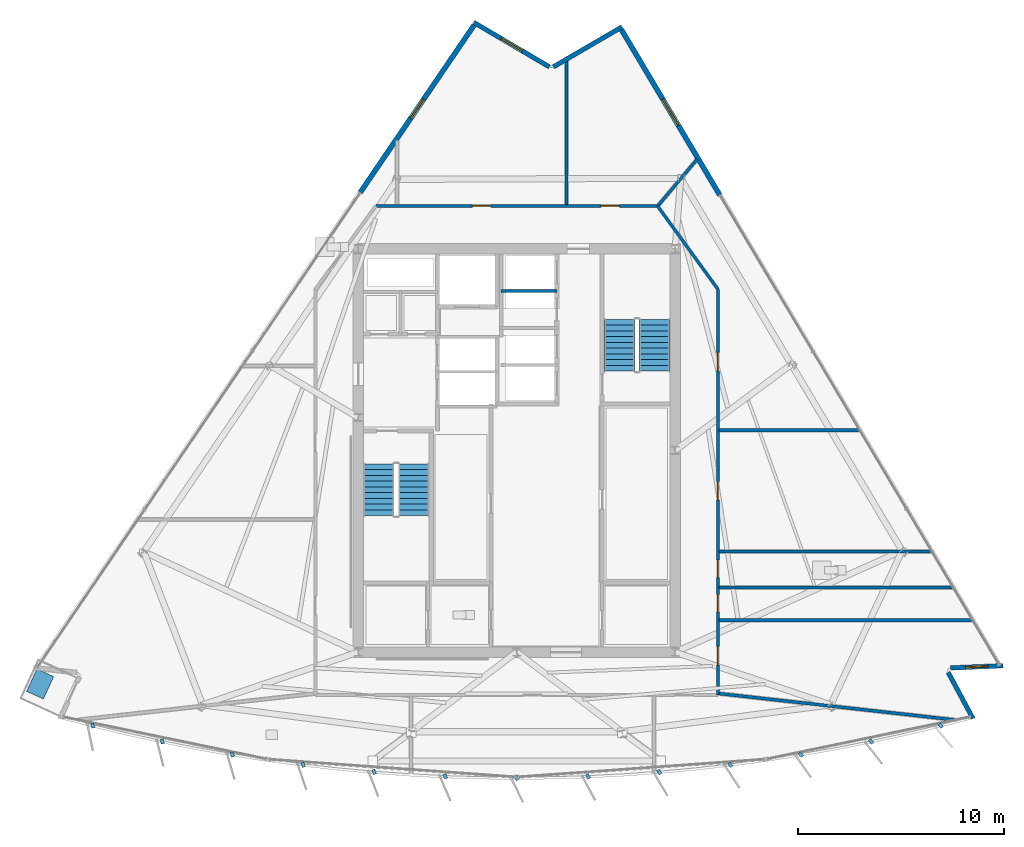
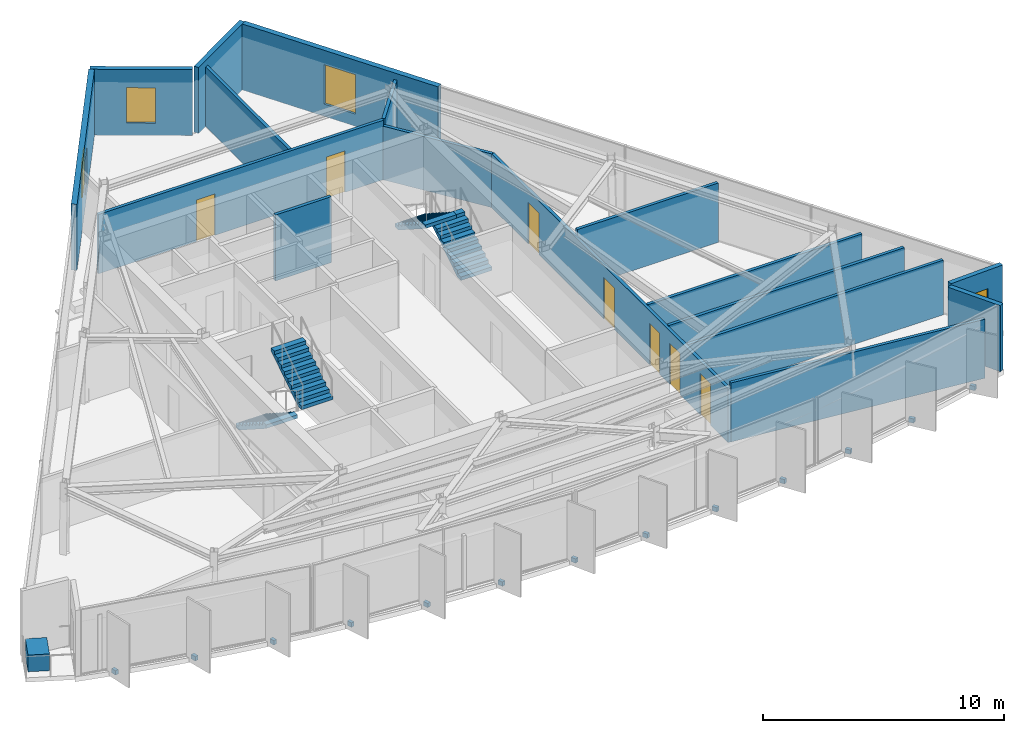
# One storey, part 8 of 12: 17 walls, 14 discrete accessories, 7 doors, 4 stair flights, 4 windows, 11 openings, 2 elements without a shape of their own.
"""IFC4 building model written with IfcOpenShell, lengths in metres."""

from ifc_helpers import new_model, si_unit, direction, frame, frame_2d, origin, origin_2d, place, context, subcontext, project, spatial, polyline, rectangle, outline, extrude, material, layer, layer_set, type_object, element, fill, aggregate, save


model = new_model("IFC4")

# Units and contexts
model_context = context("Model", 3, precision=1e-05, world=origin(), true_north=direction((0.0, 1.0)))
body_context = subcontext(model_context, "Body", "Model", "MODEL_VIEW")
ifc_project = project(units=[si_unit("LENGTHUNIT", "METRE"), si_unit("AREAUNIT", "SQUARE_METRE"), si_unit("VOLUMEUNIT", "CUBIC_METRE"), si_unit("PLANEANGLEUNIT", "RADIAN"), si_unit("MASSUNIT", "GRAM", prefix="KILO")], contexts=[model_context])

# Site, building, storey
site_placement = place(None, origin())
site = spatial("IfcSite", under=ifc_project, at=site_placement, CompositionType="ELEMENT")
building_placement = place(site_placement, origin())
building = spatial("IfcBuilding", under=site, at=building_placement, Name="Savorim Split Tower", CompositionType="ELEMENT")
storey_placement = place(building_placement, frame((0.0, 0.0, 279.60009765625)))
storey = spatial("IfcBuildingStorey", under=building, at=storey_placement, Name="L74", CompositionType="ELEMENT", Elevation=279.60009765625)

# Wall
ifc_material_1 = material(Name="Precast concrete C40/50", Category="concrete")
ifc_layer_1 = layer(ifc_material_1, 0.219970703125)
ifc_layer_set_1 = layer_set([ifc_layer_1], Name="WAL-EXT-CRN220")
wall_type_1 = type_object("IfcWallType", Name="WAL-EXT-CRN220", PredefinedType="SOLIDWALL", material=ifc_layer_set_1)
wall_1_placement = place(storey_placement, frame((20.9638671875, -10.380615234375, 0.0), z_axis=(0.0, 0.0, 1.0), x_axis=(0.472728849632, -0.881207940685, 0.0)))
element("IfcWall", 1, at=wall_1_placement, inside=storey, type_object=wall_type_1, Name="L74 Notched Corner Facade Wall SE1", PredefinedType="SOLIDWALL", context=body_context, shape_type="SweptSolid", body=[
    extrude(rectangle(XDim=2.5498046875, YDim=0.219970703125, at=frame_2d((1.27490234375, 0.0))), origin(), (0.0, 0.0, 1.0), 3.349853515625),
])

# Wall, opening, window
wall_2_placement = place(storey_placement, frame((23.630615234375, -10.058837890625, 0.0), z_axis=(0.0, 0.0, 1.0), x_axis=(-0.999098350703, -0.042455690107, 0.0)))
wall_2 = element("IfcWall", 2, at=wall_2_placement, inside=storey, type_object=wall_type_1, Name="L74 Notched Corner Facade Wall SE", PredefinedType="SOLIDWALL", context=body_context, shape_type="SweptSolid", body=[
    extrude(rectangle(XDim=2.54736328125, YDim=0.219970703125, at=frame_2d((1.273681640625, 0.0))), origin(), (0.0, 0.0, 1.0), 3.349853515625),
])
opening_1_placement = place(wall_2_placement, frame((0.7236328125, 0.0, 0.6201171875)))
opening_1 = element("IfcOpeningElement", 3, at=opening_1_placement, cuts=wall_2, Name="Opening WN-09", PredefinedType="OPENING", context=body_context, shape_type="SweptSolid", body=[
    extrude(rectangle(XDim=1.10009765625, YDim=1.800048828125, at=frame_2d((0.550048828125, 0.89990234375))), frame((0.0, 0.119873046875, 0.0), z_axis=(0.0, -1.0, 0.0), x_axis=(1.0, 0.0, 0.0)), (0.0, 0.0, 1.0), 0.239990234375),
])
ifc_material_2 = material(Name="Low-E Operable Double Glazing", Category="glass")
window_type_1 = type_object("IfcWindowType", Name="WIN-TWR-1100x1800", PartitioningType="SINGLE_PANEL", PredefinedType="WINDOW", material=ifc_material_2)
window_1_placement = place(opening_1_placement, origin())
window_1 = element("IfcWindow", 4, at=window_1_placement, inside=storey, type_object=window_type_1, Name="L74 Operable Corner Window SE", OverallHeight=1.800048828125, OverallWidth=1.10009765625, PartitioningType="SINGLE_PANEL", PredefinedType="WINDOW", context=body_context, shape_type="SweptSolid", body=[
    extrude(rectangle(XDim=1.10009765625, YDim=1.800048828125, at=frame_2d((0.550048828125, 0.89990234375))), frame((0.0, 0.030029296875, 0.0), z_axis=(0.0, -1.0, 0.0), x_axis=(1.0, 0.0, 0.0)), (0.0, 0.0, 1.0), 0.06005859375),
])
fill(opening_1, window_1)

# Wall
wall_3_placement = place(storey_placement, frame((1.78271484375, 19.031005859375, 0.0), z_axis=(0.0, 0.0, 1.0), x_axis=(0.863972097652, 0.503539685108, 0.0)))
element("IfcWall", 5, at=wall_3_placement, inside=storey, type_object=wall_type_1, Name="L74 Notched Corner Facade Wall NE1", PredefinedType="SOLIDWALL", context=body_context, shape_type="SweptSolid", body=[
    extrude(rectangle(XDim=3.8486328125, YDim=0.219970703125, at=frame_2d((1.92431640625, 0.0))), origin(), (0.0, 0.0, 1.0), 3.349853515625),
])

# Wall, opening, window
wall_4_placement = place(storey_placement, frame((-2.073974609375, 21.186279296875, 0.0), z_axis=(0.0, 0.0, 1.0), x_axis=(0.862137800155, -0.506673872964, 0.0)))
wall_4 = element("IfcWall", 6, at=wall_4_placement, inside=storey, type_object=wall_type_1, Name="L74 Notched Corner Facade Wall N", PredefinedType="SOLIDWALL", context=body_context, shape_type="SweptSolid", body=[
    extrude(rectangle(XDim=4.252685546875, YDim=0.219970703125, at=frame_2d((2.12646484375, 0.0))), origin(), (0.0, 0.0, 1.0), 3.349853515625),
])
opening_2_placement = place(wall_4_placement, frame((1.5263671875, 0.0, 0.6201171875)))
opening_2 = element("IfcOpeningElement", 7, at=opening_2_placement, cuts=wall_4, Name="Opening WN-08", PredefinedType="OPENING", context=body_context, shape_type="SweptSolid", body=[
    extrude(rectangle(XDim=1.199951171875, YDim=1.800048828125, at=frame_2d((0.60009765625, 0.89990234375))), frame((0.0, 0.119873046875, 0.0), z_axis=(0.0, -1.0, 0.0), x_axis=(1.0, 0.0, 0.0)), (0.0, 0.0, 1.0), 0.239990234375),
])
window_type_2 = type_object("IfcWindowType", Name="WIN-TWR-1200x1800", PartitioningType="SINGLE_PANEL", PredefinedType="WINDOW", material=ifc_material_2)
window_2_placement = place(opening_2_placement, origin())
window_2 = element("IfcWindow", 8, at=window_2_placement, inside=storey, type_object=window_type_2, Name="L74 Operable Corner Window N", OverallHeight=1.800048828125, OverallWidth=1.199951171875, PartitioningType="SINGLE_PANEL", PredefinedType="WINDOW", context=body_context, shape_type="SweptSolid", body=[
    extrude(rectangle(XDim=1.199951171875, YDim=1.800048828125, at=frame_2d((0.60009765625, 0.89990234375))), frame((0.0, 0.030029296875, 0.0), z_axis=(0.0, -1.0, 0.0), x_axis=(1.0, 0.0, 0.0)), (0.0, 0.0, 1.0), 0.06005859375),
])
fill(opening_2, window_2)

ifc_layer_2 = layer(ifc_material_1, 0.25)
ifc_layer_set_2 = layer_set([ifc_layer_2], Name="WAL-EXT-SPN250")
wall_type_2 = type_object("IfcWallType", Name="WAL-EXT-SPN250", PredefinedType="SOLIDWALL", material=ifc_layer_set_2)
wall_5_placement = place(storey_placement, frame((5.09130859375, 20.84228515625, 0.0), z_axis=(0.0, 0.0, 1.0), x_axis=(0.511095217069, -0.859524100354, 0.0)))
wall_5 = element("IfcWall", 9, at=wall_5_placement, inside=storey, type_object=wall_type_2, Name="L74 East Operable Window Pier", PredefinedType="SOLIDWALL", context=body_context, shape_type="SweptSolid", body=[
    extrude(rectangle(XDim=9.344482421875, YDim=0.25, at=frame_2d((4.67236328125, 0.0))), origin(), (0.0, 0.0, 1.0), 3.349853515625),
])
opening_3_placement = place(wall_5_placement, frame((3.922119140625, 0.0, 0.6201171875)))
opening_3 = element("IfcOpeningElement", 10, at=opening_3_placement, cuts=wall_5, Name="Opening WN-06", PredefinedType="OPENING", context=body_context, shape_type="SweptSolid", body=[
    extrude(rectangle(XDim=1.5, YDim=2.0, at=frame_2d((0.75, 1.0))), frame((0.0, 0.135009765625, 0.0), z_axis=(0.0, -1.0, 0.0), x_axis=(1.0, 0.0, 0.0)), (0.0, 0.0, 1.0), 0.27001953125),
])
window_type_3 = type_object("IfcWindowType", Name="WIN-TWR-1500x2000", PartitioningType="SINGLE_PANEL", PredefinedType="WINDOW", material=ifc_material_2)
window_3_placement = place(opening_3_placement, origin())
window_3 = element("IfcWindow", 11, at=window_3_placement, inside=storey, type_object=window_type_3, Name="L74 East Operable Ventilation Window", OverallHeight=2.0, OverallWidth=1.5, PartitioningType="SINGLE_PANEL", PredefinedType="WINDOW", context=body_context, shape_type="SweptSolid", body=[
    extrude(rectangle(XDim=1.5, YDim=2.0, at=frame_2d((0.75, 1.0))), frame((0.0, 0.030029296875, 0.0), z_axis=(0.0, -1.0, 0.0), x_axis=(1.0, 0.0, 0.0)), (0.0, 0.0, 1.0), 0.06005859375),
])
fill(opening_3, window_3)

wall_6_placement = place(storey_placement, frame((-7.59326171875, 12.944580078125, 0.0), z_axis=(0.0, 0.0, 1.0), x_axis=(0.562476003565, 0.826813609838, 0.0)))
wall_6 = element("IfcWall", 12, at=wall_6_placement, inside=storey, type_object=wall_type_2, Name="L74 West Operable Window Pier", PredefinedType="SOLIDWALL", context=body_context, shape_type="SweptSolid", body=[
    extrude(rectangle(XDim=9.81591796875, YDim=0.25, at=frame_2d((4.907958984375, 0.0))), origin(), (0.0, 0.0, 1.0), 3.349853515625),
])
opening_4_placement = place(wall_6_placement, frame((4.35791015625, 0.0, 0.6201171875)))
opening_4 = element("IfcOpeningElement", 13, at=opening_4_placement, cuts=wall_6, Name="Opening WN-09", PredefinedType="OPENING", context=body_context, shape_type="SweptSolid", body=[
    extrude(rectangle(XDim=1.10009765625, YDim=1.800048828125, at=frame_2d((0.550048828125, 0.89990234375))), frame((0.0, 0.135009765625, 0.0), z_axis=(0.0, -1.0, 0.0), x_axis=(1.0, 0.0, 0.0)), (0.0, 0.0, 1.0), 0.27001953125),
])
window_4_placement = place(opening_4_placement, origin())
window_4 = element("IfcWindow", 14, at=window_4_placement, inside=storey, type_object=window_type_1, Name="L74 West Operable Ventilation Window", OverallHeight=1.800048828125, OverallWidth=1.10009765625, PartitioningType="SINGLE_PANEL", PredefinedType="WINDOW", context=body_context, shape_type="SweptSolid", body=[
    extrude(rectangle(XDim=1.10009765625, YDim=1.800048828125, at=frame_2d((0.550048828125, 0.89990234375))), frame((0.0, 0.030029296875, 0.0), z_axis=(0.0, -1.0, 0.0), x_axis=(1.0, 0.0, 0.0)), (0.0, 0.0, 1.0), 0.06005859375),
])
fill(opening_4, window_4)

# Wall
ifc_material_3 = material(Name="Acoustic Gypsum Partition Board")
ifc_layer_3 = layer(ifc_material_3, 0.14990234375)
ifc_layer_set_3 = layer_set([ifc_layer_3], Name="WAL-PAR-150")
wall_type_3 = type_object("IfcWallType", Name="WAL-PAR-150", PredefinedType="PARTITIONING", material=ifc_layer_set_3)
wall_7_placement = place(storey_placement, frame((-0.75, 8.14990234375, 0.0), z_axis=(0.0, 0.0, 1.0), x_axis=(1.0, 0.0, 0.0)))
element("IfcWall", 15, at=wall_7_placement, inside=storey, type_object=wall_type_3, Name="L74 Partition W-L74-B3DIV3", PredefinedType="PARTITIONING", context=body_context, shape_type="SweptSolid", body=[
    extrude(rectangle(XDim=2.699951171875, YDim=0.14990234375, at=frame_2d((1.35009765625, 0.0))), origin(), (0.0, 0.0, 1.0), 3.349853515625),
])

# Wall, openings, doors
wall_8_placement = place(storey_placement, frame((-6.8408203125, 12.280029296875, 0.0), z_axis=(0.0, 0.0, 1.0), x_axis=(1.0, 0.0, 0.0)))
wall_8 = element("IfcWall", 16, at=wall_8_placement, inside=storey, type_object=wall_type_3, Name="L74 Partition W-L74-COR-03", PredefinedType="PARTITIONING", context=body_context, shape_type="SweptSolid", body=[
    extrude(rectangle(XDim=13.681640625, YDim=0.14990234375, at=frame_2d((6.8408203125, 0.0))), origin(), (0.0, 0.0, 1.0), 3.014892578125),
])
opening_5_placement = place(wall_8_placement, frame((10.9345703125, 0.0, 0.0)))
opening_5 = element("IfcOpeningElement", 17, at=opening_5_placement, cuts=wall_8, Name="Opening DI-06", PredefinedType="OPENING", context=body_context, shape_type="SweptSolid", body=[
    extrude(rectangle(XDim=0.89990234375, YDim=2.10009765625, at=frame_2d((0.449951171875, 1.050048828125))), frame((0.0, 0.0849609375, 0.0), z_axis=(0.0, -1.0, 0.0), x_axis=(1.0, 0.0, 0.0)), (0.0, 0.0, 1.0), 0.169921875),
])
opening_6_placement = place(wall_8_placement, frame((4.69287109375, 0.0, 0.0)))
opening_6 = element("IfcOpeningElement", 18, at=opening_6_placement, cuts=wall_8, Name="Opening DI-06", PredefinedType="OPENING", context=body_context, shape_type="SweptSolid", body=[
    extrude(rectangle(XDim=0.89990234375, YDim=2.10009765625, at=frame_2d((0.449951171875, 1.050048828125))), frame((0.0, 0.0849609375, 0.0), z_axis=(0.0, -1.0, 0.0), x_axis=(1.0, 0.0, 0.0)), (0.0, 0.0, 1.0), 0.169921875),
])
ifc_material_4 = material(Name="Timber Fire Door Leaf", Category="wood")
door_type_1 = type_object("IfcDoorType", Name="DOR-FIR-900", OperationType="NOTDEFINED", PredefinedType="DOOR", material=ifc_material_4)
door_1_placement = place(opening_5_placement, origin())
door_1 = element("IfcDoor", 19, at=door_1_placement, inside=storey, type_object=door_type_1, Name="DR-L74-RM11 - L74 Quiet Study Room Entry Door", OperationType="SINGLE_SWING_RIGHT", OverallHeight=2.10009765625, OverallWidth=0.89990234375, PredefinedType="DOOR", context=body_context, shape_type="SweptSolid", body=[
    extrude(rectangle(XDim=0.89990234375, YDim=2.10009765625, at=frame_2d((0.449951171875, 1.050048828125))), frame((0.0, 0.02490234375, 0.0), z_axis=(0.0, -1.0, 0.0), x_axis=(1.0, 0.0, 0.0)), (0.0, 0.0, 1.0), 0.050048828125),
])
fill(opening_5, door_1)
door_2_placement = place(opening_6_placement, origin())
door_2 = element("IfcDoor", 20, at=door_2_placement, inside=storey, type_object=door_type_1, Name="DR-L74-RM12 - L74 Quiet Study Room Entry Door", OperationType="SINGLE_SWING_LEFT", OverallHeight=2.10009765625, OverallWidth=0.89990234375, PredefinedType="DOOR", context=body_context, shape_type="SweptSolid", body=[
    extrude(rectangle(XDim=0.89990234375, YDim=2.10009765625, at=frame_2d((0.449951171875, 1.050048828125))), frame((0.0, 0.02490234375, 0.0), z_axis=(0.0, -1.0, 0.0), x_axis=(1.0, 0.0, 0.0)), (0.0, 0.0, 1.0), 0.050048828125),
])
fill(opening_6, door_2)

# Wall
wall_9_placement = place(storey_placement, frame((6.8408203125, 12.280029296875, 0.0), z_axis=(0.0, 0.0, 1.0), x_axis=(0.586956386413, -0.809618552436, 0.0)))
element("IfcWall", 21, at=wall_9_placement, inside=storey, type_object=wall_type_3, Name="L74 Partition W-L74-COR-04", PredefinedType="PARTITIONING", context=body_context, shape_type="SweptSolid", body=[
    extrude(rectangle(XDim=5.007568359375, YDim=0.14990234375, at=frame_2d((2.50390625, 0.0))), origin(), (0.0, 0.0, 1.0), 2.724853515625),
])

# Wall, openings, doors
wall_10_placement = place(storey_placement, frame((9.780029296875, 8.225830078125, 0.0), z_axis=(0.0, 0.0, 1.0), x_axis=(0.0, -1.0, 0.0)))
wall_10 = element("IfcWall", 22, at=wall_10_placement, inside=storey, type_object=wall_type_3, Name="L74 Partition W-L74-COR-05", PredefinedType="PARTITIONING", context=body_context, shape_type="SweptSolid", body=[
    extrude(rectangle(XDim=19.705810546875, YDim=0.14990234375, at=frame_2d((9.85302734375, 0.0))), origin(), (0.0, 0.0, 1.0), 2.724853515625),
])
opening_7_placement = place(wall_10_placement, frame((17.351806640625, 0.0, 0.0)))
opening_7 = element("IfcOpeningElement", 23, at=opening_7_placement, cuts=wall_10, Name="Opening DI-06", PredefinedType="OPENING", context=body_context, shape_type="SweptSolid", body=[
    extrude(rectangle(XDim=0.89990234375, YDim=2.10009765625, at=frame_2d((0.449951171875, 1.050048828125))), frame((0.0, 0.0849609375, 0.0), z_axis=(0.0, -1.0, 0.0), x_axis=(1.0, 0.0, 0.0)), (0.0, 0.0, 1.0), 0.169921875),
])
opening_8_placement = place(wall_10_placement, frame((14.827880859375, 0.0, 0.0)))
opening_8 = element("IfcOpeningElement", 24, at=opening_8_placement, cuts=wall_10, Name="Opening DI-13", PredefinedType="OPENING", context=body_context, shape_type="SweptSolid", body=[
    extrude(rectangle(XDim=0.85009765625, YDim=2.10009765625, at=frame_2d((0.425048828125, 1.050048828125))), frame((0.0, 0.0849609375, 0.0), z_axis=(0.0, -1.0, 0.0), x_axis=(1.0, 0.0, 0.0)), (0.0, 0.0, 1.0), 0.169921875),
])
opening_9_placement = place(wall_10_placement, frame((13.15869140625, 0.0, 0.0)))
opening_9 = element("IfcOpeningElement", 25, at=opening_9_placement, cuts=wall_10, Name="Opening DI-13", PredefinedType="OPENING", context=body_context, shape_type="SweptSolid", body=[
    extrude(rectangle(XDim=0.85009765625, YDim=2.10009765625, at=frame_2d((0.425048828125, 1.050048828125))), frame((0.0, 0.0849609375, 0.0), z_axis=(0.0, -1.0, 0.0), x_axis=(1.0, 0.0, 0.0)), (0.0, 0.0, 1.0), 0.169921875),
])
opening_10_placement = place(wall_10_placement, frame((9.343017578125, 0.0, 0.0)))
opening_10 = element("IfcOpeningElement", 26, at=opening_10_placement, cuts=wall_10, Name="Opening DI-06", PredefinedType="OPENING", context=body_context, shape_type="SweptSolid", body=[
    extrude(rectangle(XDim=0.89990234375, YDim=2.10009765625, at=frame_2d((0.449951171875, 1.050048828125))), frame((0.0, 0.0849609375, 0.0), z_axis=(0.0, -1.0, 0.0), x_axis=(1.0, 0.0, 0.0)), (0.0, 0.0, 1.0), 0.169921875),
])
opening_11_placement = place(wall_10_placement, frame((3.063232421875, 0.0, 0.0)))
opening_11 = element("IfcOpeningElement", 27, at=opening_11_placement, cuts=wall_10, Name="Opening DI-06", PredefinedType="OPENING", context=body_context, shape_type="SweptSolid", body=[
    extrude(rectangle(XDim=0.89990234375, YDim=2.10009765625, at=frame_2d((0.449951171875, 1.050048828125))), frame((0.0, 0.0849609375, 0.0), z_axis=(0.0, -1.0, 0.0), x_axis=(1.0, 0.0, 0.0)), (0.0, 0.0, 1.0), 0.169921875),
])
door_type_2 = type_object("IfcDoorType", Name="DOR-FIR-850", OperationType="NOTDEFINED", PredefinedType="DOOR", material=ifc_material_4)
door_3_placement = place(opening_8_placement, origin())
door_3 = element("IfcDoor", 28, at=door_3_placement, inside=storey, type_object=door_type_2, Name="DR-L74-RM07 - L74 Co-Living Bedroom Entry Door", OperationType="SINGLE_SWING_RIGHT", OverallHeight=2.10009765625, OverallWidth=0.85009765625, PredefinedType="DOOR", context=body_context, shape_type="SweptSolid", body=[
    extrude(rectangle(XDim=0.85009765625, YDim=2.10009765625, at=frame_2d((0.425048828125, 1.050048828125))), frame((0.0, 0.02490234375, 0.0), z_axis=(0.0, -1.0, 0.0), x_axis=(1.0, 0.0, 0.0)), (0.0, 0.0, 1.0), 0.050048828125),
])
fill(opening_8, door_3)
door_4_placement = place(opening_9_placement, origin())
door_4 = element("IfcDoor", 29, at=door_4_placement, inside=storey, type_object=door_type_2, Name="DR-L74-RM08 - L74 Shared Bathroom Entry Door", OperationType="SINGLE_SWING_LEFT", OverallHeight=2.10009765625, OverallWidth=0.85009765625, PredefinedType="DOOR", context=body_context, shape_type="SweptSolid", body=[
    extrude(rectangle(XDim=0.85009765625, YDim=2.10009765625, at=frame_2d((0.425048828125, 1.050048828125))), frame((0.0, 0.02490234375, 0.0), z_axis=(0.0, -1.0, 0.0), x_axis=(1.0, 0.0, 0.0)), (0.0, 0.0, 1.0), 0.050048828125),
])
fill(opening_9, door_4)
door_5_placement = place(opening_7_placement, origin())
door_5 = element("IfcDoor", 30, at=door_5_placement, inside=storey, type_object=door_type_1, Name="DR-L74-RM06 - L74 Quiet Study Room Entry Door", OperationType="SINGLE_SWING_LEFT", OverallHeight=2.10009765625, OverallWidth=0.89990234375, PredefinedType="DOOR", context=body_context, shape_type="SweptSolid", body=[
    extrude(rectangle(XDim=0.89990234375, YDim=2.10009765625, at=frame_2d((0.449951171875, 1.050048828125))), frame((0.0, 0.02490234375, 0.0), z_axis=(0.0, -1.0, 0.0), x_axis=(1.0, 0.0, 0.0)), (0.0, 0.0, 1.0), 0.050048828125),
])
fill(opening_7, door_5)
door_6_placement = place(opening_10_placement, origin())
door_6 = element("IfcDoor", 31, at=door_6_placement, inside=storey, type_object=door_type_1, Name="DR-L74-RM09 - L74 Quiet Study Room Entry Door", OperationType="SINGLE_SWING_RIGHT", OverallHeight=2.10009765625, OverallWidth=0.89990234375, PredefinedType="DOOR", context=body_context, shape_type="SweptSolid", body=[
    extrude(rectangle(XDim=0.89990234375, YDim=2.10009765625, at=frame_2d((0.449951171875, 1.050048828125))), frame((0.0, 0.02490234375, 0.0), z_axis=(0.0, -1.0, 0.0), x_axis=(1.0, 0.0, 0.0)), (0.0, 0.0, 1.0), 0.050048828125),
])
fill(opening_10, door_6)
door_7_placement = place(opening_11_placement, origin())
door_7 = element("IfcDoor", 32, at=door_7_placement, inside=storey, type_object=door_type_1, Name="DR-L74-RM10 - L74 Quiet Study Room Entry Door", OperationType="SINGLE_SWING_LEFT", OverallHeight=2.10009765625, OverallWidth=0.89990234375, PredefinedType="DOOR", context=body_context, shape_type="SweptSolid", body=[
    extrude(rectangle(XDim=0.89990234375, YDim=2.10009765625, at=frame_2d((0.449951171875, 1.050048828125))), frame((0.0, 0.02490234375, 0.0), z_axis=(0.0, -1.0, 0.0), x_axis=(1.0, 0.0, 0.0)), (0.0, 0.0, 1.0), 0.050048828125),
])
fill(opening_11, door_7)

# Walls
wall_11_placement = place(storey_placement, frame((9.839111328125, -11.413818359375, 0.0), z_axis=(0.0, 0.0, 1.0), x_axis=(0.993832479403, -0.1108918522, 0.0)))
element("IfcWall", 33, at=wall_11_placement, inside=storey, type_object=wall_type_3, Name="L74 Partition W-L74-PRAD04", PredefinedType="PARTITIONING", context=body_context, shape_type="SweptSolid", body=[
    extrude(rectangle(XDim=11.525390625, YDim=0.14990234375, at=frame_2d((5.7626953125, 0.0))), origin(), (0.0, 0.0, 1.0), 2.994873046875),
])
wall_12_placement = place(storey_placement, frame((9.840087890625, -4.51171875, 0.0), z_axis=(0.0, 0.0, 1.0), x_axis=(1.0, 0.0, 0.0)))
element("IfcWall", 34, at=wall_12_placement, inside=storey, type_object=wall_type_3, Name="L74 Partition W-L74-PRAD05", PredefinedType="PARTITIONING", context=body_context, shape_type="SweptSolid", body=[
    extrude(rectangle(XDim=10.26904296875, YDim=0.14990234375, at=frame_2d((5.134521484375, 0.0))), origin(), (0.0, 0.0, 1.0), 2.77490234375),
])
wall_13_placement = place(storey_placement, frame((6.8857421875, 12.310302734375, 0.0), z_axis=(0.0, 0.0, 1.0), x_axis=(0.64386381785, 0.765140107473, 0.0)))
element("IfcWall", 35, at=wall_13_placement, inside=storey, type_object=wall_type_3, Name="L74 Partition W-L74-PRAD07", PredefinedType="PARTITIONING", context=body_context, shape_type="SweptSolid", body=[
    extrude(rectangle(XDim=2.93115234375, YDim=0.14990234375, at=frame_2d((1.465576171875, 0.0))), origin(), (0.0, 0.0, 1.0), 3.014892578125),
])
wall_14_placement = place(storey_placement, frame((9.840087890625, -7.85009765625, 0.0), z_axis=(0.0, 0.0, 1.0), x_axis=(1.0, 0.0, 0.0)))
element("IfcWall", 36, at=wall_14_placement, inside=storey, type_object=wall_type_3, Name="L74 Partition W-L74-SUB01", PredefinedType="PARTITIONING", context=body_context, shape_type="SweptSolid", body=[
    extrude(rectangle(XDim=12.25439453125, YDim=0.14990234375, at=frame_2d((6.127197265625, 0.0))), origin(), (0.0, 0.0, 1.0), 2.77490234375),
])
wall_15_placement = place(storey_placement, frame((2.425048828125, 12.340087890625, 0.0), z_axis=(0.0, 0.0, 1.0), x_axis=(0.0, 1.0, 0.0)))
element("IfcWall", 37, at=wall_15_placement, inside=storey, type_object=wall_type_3, Name="L74 Partition W-L74-SUB02", PredefinedType="PARTITIONING", context=body_context, shape_type="SweptSolid", body=[
    extrude(rectangle(XDim=7.00732421875, YDim=0.14990234375, at=frame_2d((3.503662109375, 0.0))), origin(), (0.0, 0.0, 1.0), 3.014892578125),
])
wall_16_placement = place(storey_placement, frame((9.840087890625, -6.25390625, 0.0), z_axis=(0.0, 0.0, 1.0), x_axis=(1.0, 0.0, 0.0)))
element("IfcWall", 38, at=wall_16_placement, inside=storey, type_object=wall_type_3, Name="L74 Partition W-L74-SUB05", PredefinedType="PARTITIONING", context=body_context, shape_type="SweptSolid", body=[
    extrude(rectangle(XDim=11.30517578125, YDim=0.14990234375, at=frame_2d((5.652587890625, 0.0))), origin(), (0.0, 0.0, 1.0), 2.77490234375),
])
wall_17_placement = place(storey_placement, frame((9.840087890625, 1.377685546875, 0.0), z_axis=(0.0, 0.0, 1.0), x_axis=(1.0, 0.0, 0.0)))
element("IfcWall", 39, at=wall_17_placement, inside=storey, type_object=wall_type_3, Name="L74 Partition W-L74-SUB06", PredefinedType="PARTITIONING", context=body_context, shape_type="SweptSolid", body=[
    extrude(rectangle(XDim=6.767333984375, YDim=0.14990234375, at=frame_2d((3.3837890625, 0.0))), origin(), (0.0, 0.0, 1.0), 3.014892578125),
])

# Stair, stair flights
ifc_material_5 = material(Name="Concrete C50/60", Category="concrete")
stair_type = type_object("IfcStairType", Name="STR-DOG-3600", PredefinedType="HALF_TURN_STAIR", material=ifc_material_5)
stair_1_placement = place(storey_placement, origin())
stair_1 = element("IfcStair", 40, at=stair_1_placement, inside=storey, type_object=stair_type, Name="L74 Core Protected Exit Stair ST-1", PredefinedType="HALF_TURN_STAIR")
stair_flight_type = type_object("IfcStairFlightType", Name="SFL-DOG-3600", PredefinedType="STRAIGHT", material=ifc_material_5)
stair_flight_1_placement = place(storey_placement, frame((-6.699951171875, -0.25, 0.0), z_axis=(0.0, 0.0, 1.0), x_axis=(0.0, -1.0, 0.0)))
stair_flight_1 = element("IfcStairFlight", 41, at=stair_flight_1_placement, type_object=stair_flight_type, Name="ST-1 flight 1", NumberOfRisers=10, NumberOfTreads=9, PredefinedType="STRAIGHT", RiserHeight=0.18, TreadLength=0.28, context=body_context, shape_type="SweptSolid", body=[
    extrude(outline(polyline([(0.0, 0.0), (0.0, 0.179931640625), (0.280029296875, 0.179931640625), (0.280029296875, 0.360107421875), (0.56005859375, 0.360107421875), (0.56005859375, 0.5400390625), (0.840087890625, 0.5400390625), (0.840087890625, 0.719970703125), (1.1201171875, 0.719970703125), (1.1201171875, 0.89990234375), (1.39990234375, 0.89990234375), (1.39990234375, 1.080078125), (1.679931640625, 1.080078125), (1.679931640625, 1.260009765625), (1.9599609375, 1.260009765625), (1.9599609375, 1.43994140625), (2.239990234375, 1.43994140625), (2.239990234375, 1.6201171875), (2.52001953125, 1.6201171875), (2.52001953125, 1.800048828125), (2.52001953125, 1.44189453125), (0.277099609375, 0.0), (0.0, 0.0)])), frame((0.0, 0.75, 0.0), z_axis=(0.0, -1.0, 0.0), x_axis=(1.0, 0.0, 0.0)), (0.0, 0.0, 1.0), 1.5),
])
stair_flight_2_placement = place(storey_placement, frame((-5.0, -2.77001953125, 1.7998046875), z_axis=(0.0, 0.0, 1.0), x_axis=(0.0, 1.0, 0.0)))
stair_flight_2 = element("IfcStairFlight", 42, at=stair_flight_2_placement, type_object=stair_flight_type, Name="ST-1 flight 2", NumberOfRisers=10, NumberOfTreads=9, PredefinedType="STRAIGHT", RiserHeight=0.18, TreadLength=0.28, context=body_context, shape_type="SweptSolid", body=[
    extrude(outline(polyline([(0.0, 0.0), (0.0, 0.179931640625), (0.280029296875, 0.179931640625), (0.280029296875, 0.360107421875), (0.56005859375, 0.360107421875), (0.56005859375, 0.5400390625), (0.840087890625, 0.5400390625), (0.840087890625, 0.719970703125), (1.1201171875, 0.719970703125), (1.1201171875, 0.89990234375), (1.39990234375, 0.89990234375), (1.39990234375, 1.080078125), (1.679931640625, 1.080078125), (1.679931640625, 1.260009765625), (1.9599609375, 1.260009765625), (1.9599609375, 1.43994140625), (2.239990234375, 1.43994140625), (2.239990234375, 1.6201171875), (2.52001953125, 1.6201171875), (2.52001953125, 1.800048828125), (2.52001953125, 1.44189453125), (0.277099609375, 0.0), (0.0, 0.0)])), frame((0.0, 0.75, 0.0), z_axis=(0.0, -1.0, 0.0), x_axis=(1.0, 0.0, 0.0)), (0.0, 0.0, 1.0), 1.5),
])
aggregate(stair_1, [stair_flight_1, stair_flight_2])

stair_2_placement = place(storey_placement, origin())
stair_2 = element("IfcStair", 43, at=stair_2_placement, inside=storey, type_object=stair_type, Name="L74 Core Protected Exit Stair ST-2", PredefinedType="HALF_TURN_STAIR")
stair_flight_3_placement = place(storey_placement, frame((6.699951171875, 4.25, 0.0), z_axis=(0.0, 0.0, 1.0), x_axis=(0.0, 1.0, 0.0)))
stair_flight_3 = element("IfcStairFlight", 44, at=stair_flight_3_placement, type_object=stair_flight_type, Name="ST-2 flight 1", NumberOfRisers=10, NumberOfTreads=9, PredefinedType="STRAIGHT", RiserHeight=0.18, TreadLength=0.28, context=body_context, shape_type="SweptSolid", body=[
    extrude(outline(polyline([(0.0, 0.0), (0.0, 0.179931640625), (0.280029296875, 0.179931640625), (0.280029296875, 0.360107421875), (0.56005859375, 0.360107421875), (0.56005859375, 0.5400390625), (0.840087890625, 0.5400390625), (0.840087890625, 0.719970703125), (1.1201171875, 0.719970703125), (1.1201171875, 0.89990234375), (1.39990234375, 0.89990234375), (1.39990234375, 1.080078125), (1.679931640625, 1.080078125), (1.679931640625, 1.260009765625), (1.9599609375, 1.260009765625), (1.9599609375, 1.43994140625), (2.239990234375, 1.43994140625), (2.239990234375, 1.6201171875), (2.52001953125, 1.6201171875), (2.52001953125, 1.800048828125), (2.52001953125, 1.44189453125), (0.277099609375, 0.0), (0.0, 0.0)])), frame((0.0, 0.75, 0.0), z_axis=(0.0, -1.0, 0.0), x_axis=(1.0, 0.0, 0.0)), (0.0, 0.0, 1.0), 1.5),
])
stair_flight_4_placement = place(storey_placement, frame((5.0, 6.77001953125, 1.7998046875), z_axis=(0.0, 0.0, 1.0), x_axis=(0.0, -1.0, 0.0)))
stair_flight_4 = element("IfcStairFlight", 45, at=stair_flight_4_placement, type_object=stair_flight_type, Name="ST-2 flight 2", NumberOfRisers=10, NumberOfTreads=9, PredefinedType="STRAIGHT", RiserHeight=0.18, TreadLength=0.28, context=body_context, shape_type="SweptSolid", body=[
    extrude(outline(polyline([(0.0, 0.0), (0.0, 0.179931640625), (0.280029296875, 0.179931640625), (0.280029296875, 0.360107421875), (0.56005859375, 0.360107421875), (0.56005859375, 0.5400390625), (0.840087890625, 0.5400390625), (0.840087890625, 0.719970703125), (1.1201171875, 0.719970703125), (1.1201171875, 0.89990234375), (1.39990234375, 0.89990234375), (1.39990234375, 1.080078125), (1.679931640625, 1.080078125), (1.679931640625, 1.260009765625), (1.9599609375, 1.260009765625), (1.9599609375, 1.43994140625), (2.239990234375, 1.43994140625), (2.239990234375, 1.6201171875), (2.52001953125, 1.6201171875), (2.52001953125, 1.800048828125), (2.52001953125, 1.44189453125), (0.277099609375, 0.0), (0.0, 0.0)])), frame((0.0, 0.75, 0.0), z_axis=(0.0, -1.0, 0.0), x_axis=(1.0, 0.0, 0.0)), (0.0, 0.0, 1.0), 1.5),
])
aggregate(stair_2, [stair_flight_3, stair_flight_4])

# Discrete accessories
ifc_material_6 = material(Name="Steel S355", Category="steel")
discrete_accessory_type_1 = type_object("IfcDiscreteAccessoryType", Name="ACC-BRK-FIN", PredefinedType="BRACKET", material=ifc_material_6)
for number, where, z_axis, x_axis, name in (
    (46, (-20.595703125, -12.967529296875, -0.18994140625), (0.0, 0.0, 1.0), (0.206721626106, -0.978399800337, 0.0), "L74 Fin Slab-Edge Cleat Bracket 01"),
    (47, (-17.216064453125, -13.7412109375, -0.18994140625), (0.0, 0.0, 1.0), (0.246581250663, -0.969122121727, 0.0), "L74 Fin Slab-Edge Cleat Bracket 02"),
    (48, (-13.8076171875, -14.376220703125, -0.18994140625), (0.0, 0.0, 1.0), (0.286026212504, -0.958221793616, 0.0), "L74 Fin Slab-Edge Cleat Bracket 03"),
    (49, (-10.3759765625, -14.87109375, -0.18994140625), (0.0, 0.0, 1.0), (0.324993810493, -0.945716143005, 0.0), "L74 Fin Slab-Edge Cleat Bracket 04"),
    (50, (-6.927001953125, -15.225341796875, -0.18994140625), (0.0, 0.0, 1.0), (0.363415461732, -0.931627179817, 0.0), "L74 Fin Slab-Edge Cleat Bracket 05"),
    (51, (-3.46630859375, -15.43798828125, -0.18994140625), (0.0, 0.0, 1.0), (0.401230091723, -0.915977299662, 0.0), "L74 Fin Slab-Edge Cleat Bracket 06"),
    (52, (0.0, -15.509033203125, -0.18994140625), (0.0, 0.0, 1.0), (0.438371146789, -0.898794046299, 0.0), "L74 Fin Slab-Edge Cleat Bracket 07"),
    (53, (3.46630859375, -15.43798828125, -0.18994140625), (0.0, 0.0, 1.0), (0.474778051978, -0.880105562623, 0.0), "L74 Fin Slab-Edge Cleat Bracket 08"),
    (54, (6.927001953125, -15.225341796875, -0.18994140625), (0.0, 0.0, 1.0), (0.510391336723, -0.859942255851, 0.0), "L74 Fin Slab-Edge Cleat Bracket 09"),
    (55, (10.3759765625, -14.87109375, -0.18994140625), (0.0, 0.0, 1.0), (0.545148321708, -0.838339613366, 0.0), "L74 Fin Slab-Edge Cleat Bracket 10"),
    (56, (13.8076171875, -14.376220703125, -0.18994140625), (0.0, 0.0, 1.0), (0.578993757737, -0.815331974414, 0.0), "L74 Fin Slab-Edge Cleat Bracket 11"),
    (57, (17.216064453125, -13.7412109375, -0.18994140625), (0.0, 0.0, 1.0), (0.611868076908, -0.790959832394, 0.0), "L74 Fin Slab-Edge Cleat Bracket 12"),
    (58, (20.595703125, -12.967529296875, -0.18994140625), (0.0, 0.0, 1.0), (0.643719022682, -0.765261928909, 0.0), "L74 Fin Slab-Edge Cleat Bracket 13"),
):
    element("IfcDiscreteAccessory", number, at=place(storey_placement, frame(where, z_axis=z_axis, x_axis=x_axis)), inside=storey, type_object=discrete_accessory_type_1, Name=name, PredefinedType="BRACKET", context=body_context, shape_type="SweptSolid", body=[
        extrude(rectangle(XDim=0.239990234375, YDim=0.159912109375, at=origin_2d()), origin(), (0.0, 0.0, 1.0), 0.219970703125),
    ])
ifc_material_7 = material(Name="Architectural Precast Planter Concrete C40/50", Category="concrete")
discrete_accessory_type_2 = type_object("IfcDiscreteAccessoryType", Name="ACC-PLN-TREE", PredefinedType="USERDEFINED", material=ifc_material_7)
discrete_accessory_placement = place(storey_placement, frame((-23.1494140625, -10.94677734375, -0.000244140625), z_axis=(0.0, 0.0, 1.0), x_axis=(-0.417492825932, -0.908680218941, 0.0)))
element("IfcDiscreteAccessory", 59, at=discrete_accessory_placement, inside=storey, type_object=discrete_accessory_type_2, Name="L74 Balcony Precast Tree Planter SW", ObjectType="PLANTER", PredefinedType="USERDEFINED", context=body_context, shape_type="SweptSolid", body=[
    extrude(rectangle(XDim=1.199951171875, YDim=0.89990234375, at=origin_2d()), origin(), (0.0, 0.0, 1.0), 0.85009765625),
])

save(model, "model.ifc")
